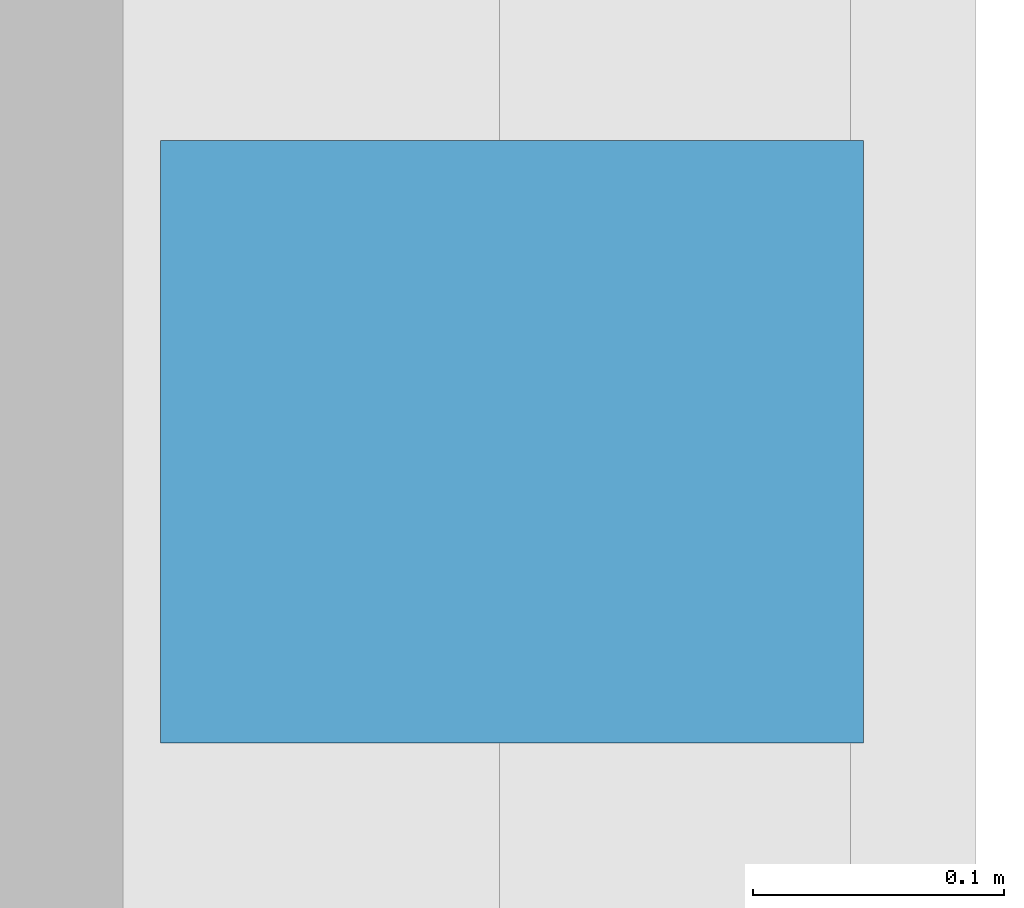
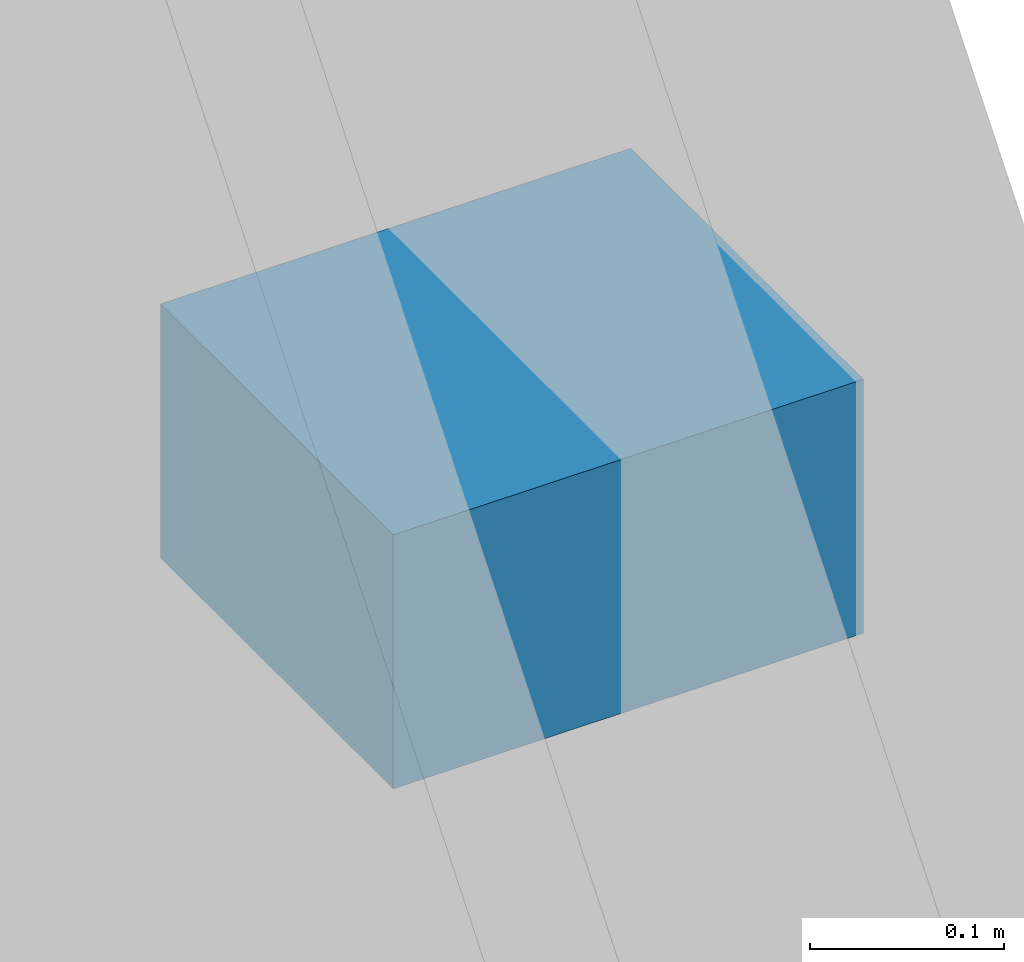
# One storey, part 84 of 98: 1 discrete accessory.
"""IFC4 building model written with IfcOpenShell, lengths in metres."""

from ifc_helpers import new_model, si_unit, direction, frame, origin, origin_2d, place, context, subcontext, project, spatial, rectangle, extrude, material, layer, layer_set, type_object, element, save


model = new_model("IFC4")

# Units and contexts
model_context = context("Model", 3, precision=1e-05, world=origin(), true_north=direction((0.0, 1.0)))
body_context = subcontext(model_context, "Body", "Model", "MODEL_VIEW")
ifc_project = project(units=[si_unit("LENGTHUNIT", "METRE"), si_unit("AREAUNIT", "SQUARE_METRE"), si_unit("VOLUMEUNIT", "CUBIC_METRE"), si_unit("PLANEANGLEUNIT", "RADIAN"), si_unit("MASSUNIT", "GRAM", prefix="KILO")], contexts=[model_context])

# Site, building, storey
site_placement = place(None, origin())
site = spatial("IfcSite", under=ifc_project, at=site_placement, CompositionType="ELEMENT")
building_placement = place(site_placement, origin())
building = spatial("IfcBuilding", under=site, at=building_placement, Name="Nabrawat Pavilion Hospital", CompositionType="ELEMENT")
storey_placement = place(building_placement, frame((0.0, 0.0, 10.199951171875)))
storey = spatial("IfcBuildingStorey", under=building, at=storey_placement, Name="L02", CompositionType="ELEMENT", Elevation=10.199951171875)

# Discrete accessory
ifc_material = material(Name="Steel S355", Category="steel")
ifc_layer = layer(ifc_material, 0.159912109375, Name="Steel S355")
ifc_layer_set = layer_set([ifc_layer], Name="Steel S355")
discrete_accessory_type = type_object("IfcDiscreteAccessoryType", Name="Facade Shading Support Steel Bracket", PredefinedType="BRACKET", material=ifc_layer_set)
discrete_accessory_placement = place(storey_placement, frame((193.1650390625, 74.10009765625, 1.59521484375), z_axis=(0.0, 0.0, 1.0), x_axis=(0.0, 1.0, 0.0)))
element("IfcDiscreteAccessory", 1, at=discrete_accessory_placement, inside=storey, type_object=discrete_accessory_type, Name="L02 Facade Shading Bracket 014", PredefinedType="BRACKET", context=body_context, shape_type="SweptSolid", body=[
    extrude(rectangle(XDim=0.239990234375, YDim=0.280029296875, at=origin_2d()), origin(), (0.0, 0.0, 1.0), 0.159912109375),
])

save(model, "model.ifc")
